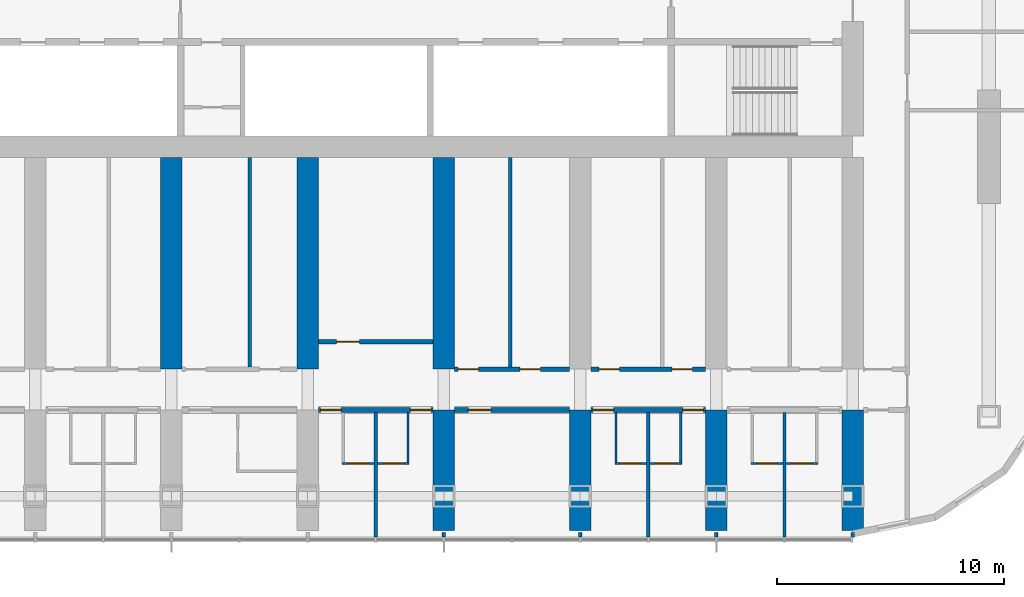
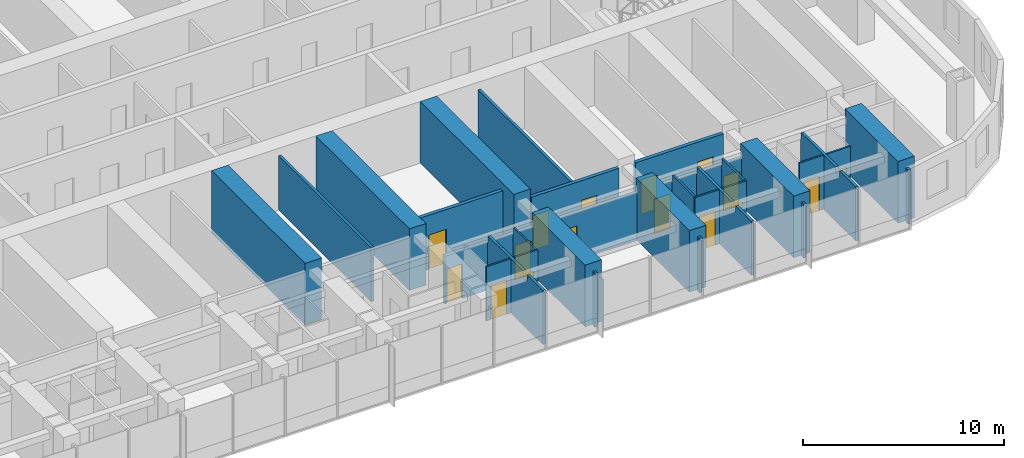
# One storey, part 10 of 21: 31 walls, 16 doors, 16 openings.
"""IFC4 building model written with IfcOpenShell, lengths in metres."""

from ifc_helpers import new_model, si_unit, direction, frame, frame_2d, origin, place, context, subcontext, project, spatial, polyline, rectangle, outline, extrude, material, layer, layer_set, type_object, element, fill, save


model = new_model("IFC4")

# Units and contexts
model_context = context("Model", 3, precision=1e-05, world=origin(), true_north=direction((0.0, 1.0)))
body_context = subcontext(model_context, "Body", "Model", "MODEL_VIEW")
ifc_project = project(units=[si_unit("LENGTHUNIT", "METRE"), si_unit("AREAUNIT", "SQUARE_METRE"), si_unit("VOLUMEUNIT", "CUBIC_METRE"), si_unit("PLANEANGLEUNIT", "RADIAN"), si_unit("MASSUNIT", "GRAM", prefix="KILO")], contexts=[model_context])

# Site, building, storey
site_placement = place(None, origin())
site = spatial("IfcSite", under=ifc_project, at=site_placement, CompositionType="ELEMENT")
building_placement = place(site_placement, origin())
building = spatial("IfcBuilding", under=site, at=building_placement, Name="Orbita Commons", CompositionType="ELEMENT")
storey_placement = place(building_placement, frame((0.0, 0.0, 95.64990234375)))
storey = spatial("IfcBuildingStorey", under=building, at=storey_placement, Name="L23", CompositionType="ELEMENT", Elevation=95.64990234375)

# Wall, openings, doors
ifc_material_1 = material(Name="Concrete blockwork", Category="masonry")
ifc_layer_1 = layer(ifc_material_1, 0.199951171875)
ifc_layer_set_1 = layer_set([ifc_layer_1], Name="Concrete blockwork")
wall_type_1 = type_object("IfcWallType", Name="Corridor wall 200 blockwork", PredefinedType="SOLIDWALL", material=ifc_layer_set_1)
wall_1_placement = place(storey_placement, frame((42.47509765625, 14.199951171875, 0.0), z_axis=(0.0, 0.0, 1.0), x_axis=(1.0, 0.0, 0.0)))
wall_1 = element("IfcWall", 1, at=wall_1_placement, inside=storey, type_object=wall_type_1, Name="Corridor wall 200 blockwork L23", PredefinedType="SOLIDWALL", context=body_context, shape_type="SweptSolid", body=[
    extrude(outline(polyline([(0.0, 0.0), (5.0498046875, 0.0), (5.050048828125, 2.900146484375), (0.0, 2.900146484375), (0.0, 0.0)])), frame((0.0, 0.10009765625, 0.0), z_axis=(0.0, -1.0, 0.0), x_axis=(1.0, 0.0, 0.0)), (0.0, 0.0, 1.0), 0.199951171875),
])
opening_1_placement = place(wall_1_placement, frame((0.10009765625, 0.0, 0.0)))
opening_1 = element("IfcOpeningElement", 2, at=opening_1_placement, cuts=wall_1, Name="Opening D11", PredefinedType="OPENING", context=body_context, shape_type="SweptSolid", body=[
    extrude(rectangle(XDim=0.89990234375, YDim=2.10009765625, at=frame_2d((0.449951171875, 1.050048828125))), frame((0.0, 0.10986328125, 0.0), z_axis=(0.0, -1.0, 0.0), x_axis=(1.0, 0.0, 0.0)), (0.0, 0.0, 1.0), 0.219970703125),
])
opening_2_placement = place(wall_1_placement, frame((4.050048828125, 0.0, 0.0)))
opening_2 = element("IfcOpeningElement", 3, at=opening_2_placement, cuts=wall_1, Name="Opening D11", PredefinedType="OPENING", context=body_context, shape_type="SweptSolid", body=[
    extrude(rectangle(XDim=0.89990234375, YDim=2.10009765625, at=frame_2d((0.449951171875, 1.050048828125))), frame((0.0, 0.10986328125, 0.0), z_axis=(0.0, -1.0, 0.0), x_axis=(1.0, 0.0, 0.0)), (0.0, 0.0, 1.0), 0.219970703125),
])
ifc_material_2 = material(Name="Steel-faced fire door leaf", Category="steel")
door_type_1 = type_object("IfcDoorType", Name="Corridor door 20 min 900x2100", OperationType="SINGLE_SWING_LEFT", PredefinedType="DOOR", material=ifc_material_2)
door_1_placement = place(opening_1_placement, origin())
door_1 = element("IfcDoor", 4, at=door_1_placement, inside=storey, type_object=door_type_1, Name="Cluster bedroom L23-S10 door", OperationType="SINGLE_SWING_LEFT", OverallHeight=2.10009765625, OverallWidth=0.89990234375, PredefinedType="DOOR", context=body_context, shape_type="SweptSolid", body=[
    extrude(rectangle(XDim=0.89990234375, YDim=2.10009765625, at=frame_2d((0.449951171875, 1.050048828125))), frame((0.0, 0.02490234375, 0.0), z_axis=(0.0, -1.0, 0.0), x_axis=(1.0, 0.0, 0.0)), (0.0, 0.0, 1.0), 0.050048828125),
])
fill(opening_1, door_1)
door_2_placement = place(opening_2_placement, origin())
door_2 = element("IfcDoor", 5, at=door_2_placement, inside=storey, type_object=door_type_1, Name="Cluster bedroom L23-S11 door", OperationType="SINGLE_SWING_LEFT", OverallHeight=2.10009765625, OverallWidth=0.89990234375, PredefinedType="DOOR", context=body_context, shape_type="SweptSolid", body=[
    extrude(rectangle(XDim=0.89990234375, YDim=2.10009765625, at=frame_2d((0.449951171875, 1.050048828125))), frame((0.0, 0.02490234375, 0.0), z_axis=(0.0, -1.0, 0.0), x_axis=(1.0, 0.0, 0.0)), (0.0, 0.0, 1.0), 0.050048828125),
])
fill(opening_2, door_2)

# Wall, opening, door
wall_2_placement = place(storey_placement, frame((48.47509765625, 14.199951171875, 0.0), z_axis=(0.0, 0.0, 1.0), x_axis=(1.0, 0.0, 0.0)))
wall_2 = element("IfcWall", 6, at=wall_2_placement, inside=storey, type_object=wall_type_1, Name="Corridor wall 200 blockwork L23", PredefinedType="SOLIDWALL", context=body_context, shape_type="SweptSolid", body=[
    extrude(outline(polyline([(0.0, 0.0), (5.0498046875, 0.0), (5.050048828125, 2.900146484375), (0.0, 2.900146484375), (0.0, 0.0)])), frame((0.0, 0.10009765625, 0.0), z_axis=(0.0, -1.0, 0.0), x_axis=(1.0, 0.0, 0.0)), (0.0, 0.0, 1.0), 0.199951171875),
])
opening_3_placement = place(wall_2_placement, frame((0.60009765625, 0.0, 0.0)))
opening_3 = element("IfcOpeningElement", 7, at=opening_3_placement, cuts=wall_2, Name="Opening D06", PredefinedType="OPENING", context=body_context, shape_type="SweptSolid", body=[
    extrude(rectangle(XDim=1.0, YDim=2.10009765625, at=frame_2d((0.5, 1.050048828125))), frame((0.0, 0.10986328125, 0.0), z_axis=(0.0, -1.0, 0.0), x_axis=(1.0, 0.0, 0.0)), (0.0, 0.0, 1.0), 0.219970703125),
])
ifc_material_3 = material(Name="Steel-faced fire door leaf", Category="steel")
door_type_2 = type_object("IfcDoorType", Name="Corridor door 20 min 1000x2100", OperationType="SINGLE_SWING_LEFT", PredefinedType="DOOR", material=ifc_material_3)
door_3_placement = place(opening_3_placement, origin())
door_3 = element("IfcDoor", 8, at=door_3_placement, inside=storey, type_object=door_type_2, Name="Cluster kitchen-diner L23-S12 door", OperationType="SINGLE_SWING_LEFT", OverallHeight=2.10009765625, OverallWidth=1.0, PredefinedType="DOOR", context=body_context, shape_type="SweptSolid", body=[
    extrude(rectangle(XDim=1.0, YDim=2.10009765625, at=frame_2d((0.5, 1.050048828125))), frame((0.0, 0.02490234375, 0.0), z_axis=(0.0, -1.0, 0.0), x_axis=(1.0, 0.0, 0.0)), (0.0, 0.0, 1.0), 0.050048828125),
])
fill(opening_3, door_3)

# Wall, openings, doors
wall_3_placement = place(storey_placement, frame((54.47509765625, 14.199951171875, 0.0), z_axis=(0.0, 0.0, 1.0), x_axis=(1.0, 0.0, 0.0)))
wall_3 = element("IfcWall", 9, at=wall_3_placement, inside=storey, type_object=wall_type_1, Name="Corridor wall 200 blockwork L23", PredefinedType="SOLIDWALL", context=body_context, shape_type="SweptSolid", body=[
    extrude(outline(polyline([(0.0, 0.0), (5.0498046875, 0.0), (5.050048828125, 2.900146484375), (0.0, 2.900146484375), (0.0, 0.0)])), frame((0.0, 0.10009765625, 0.0), z_axis=(0.0, -1.0, 0.0), x_axis=(1.0, 0.0, 0.0)), (0.0, 0.0, 1.0), 0.199951171875),
])
opening_4_placement = place(wall_3_placement, frame((0.10009765625, 0.0, 0.0)))
opening_4 = element("IfcOpeningElement", 10, at=opening_4_placement, cuts=wall_3, Name="Opening D11", PredefinedType="OPENING", context=body_context, shape_type="SweptSolid", body=[
    extrude(rectangle(XDim=0.89990234375, YDim=2.10009765625, at=frame_2d((0.449951171875, 1.050048828125))), frame((0.0, 0.10986328125, 0.0), z_axis=(0.0, -1.0, 0.0), x_axis=(1.0, 0.0, 0.0)), (0.0, 0.0, 1.0), 0.219970703125),
])
opening_5_placement = place(wall_3_placement, frame((4.050048828125, 0.0, 0.0)))
opening_5 = element("IfcOpeningElement", 11, at=opening_5_placement, cuts=wall_3, Name="Opening D11", PredefinedType="OPENING", context=body_context, shape_type="SweptSolid", body=[
    extrude(rectangle(XDim=0.89990234375, YDim=2.10009765625, at=frame_2d((0.449951171875, 1.050048828125))), frame((0.0, 0.10986328125, 0.0), z_axis=(0.0, -1.0, 0.0), x_axis=(1.0, 0.0, 0.0)), (0.0, 0.0, 1.0), 0.219970703125),
])
door_4_placement = place(opening_4_placement, origin())
door_4 = element("IfcDoor", 12, at=door_4_placement, inside=storey, type_object=door_type_1, Name="Cluster bedroom L23-S14 door", OperationType="SINGLE_SWING_LEFT", OverallHeight=2.10009765625, OverallWidth=0.89990234375, PredefinedType="DOOR", context=body_context, shape_type="SweptSolid", body=[
    extrude(rectangle(XDim=0.89990234375, YDim=2.10009765625, at=frame_2d((0.449951171875, 1.050048828125))), frame((0.0, 0.02490234375, 0.0), z_axis=(0.0, -1.0, 0.0), x_axis=(1.0, 0.0, 0.0)), (0.0, 0.0, 1.0), 0.050048828125),
])
fill(opening_4, door_4)
door_5_placement = place(opening_5_placement, origin())
door_5 = element("IfcDoor", 13, at=door_5_placement, inside=storey, type_object=door_type_1, Name="Cluster bedroom L23-S15 door", OperationType="SINGLE_SWING_LEFT", OverallHeight=2.10009765625, OverallWidth=0.89990234375, PredefinedType="DOOR", context=body_context, shape_type="SweptSolid", body=[
    extrude(rectangle(XDim=0.89990234375, YDim=2.10009765625, at=frame_2d((0.449951171875, 1.050048828125))), frame((0.0, 0.02490234375, 0.0), z_axis=(0.0, -1.0, 0.0), x_axis=(1.0, 0.0, 0.0)), (0.0, 0.0, 1.0), 0.050048828125),
])
fill(opening_5, door_5)

ifc_material_4 = material(Name="Hollow concrete block 200", Category="concrete")
ifc_layer_2 = layer(ifc_material_4, 0.199951171875)
ifc_layer_set_2 = layer_set([ifc_layer_2], Name="Hollow concrete block 200")
wall_type_2 = type_object("IfcWallType", Name="Corridor wall 200 hollow concrete block", PredefinedType="SOLIDWALL", material=ifc_layer_set_2)
wall_4_placement = place(storey_placement, frame((48.47509765625, 16.0, 0.0), z_axis=(0.0, 0.0, 1.0), x_axis=(1.0, 0.0, 0.0)))
wall_4 = element("IfcWall", 14, at=wall_4_placement, inside=storey, type_object=wall_type_2, Name="Corridor wall 200 hollow concrete block L23", PredefinedType="SOLIDWALL", context=body_context, shape_type="SweptSolid", body=[
    extrude(rectangle(XDim=5.0498046875, YDim=0.199951171875, at=frame_2d((2.52490234375, 0.0))), origin(), (0.0, 0.0, 1.0), 3.300048828125),
])
opening_6_placement = place(wall_4_placement, frame((0.14990234375, 0.0, 0.0)))
opening_6 = element("IfcOpeningElement", 15, at=opening_6_placement, cuts=wall_4, Name="Opening D11", PredefinedType="OPENING", context=body_context, shape_type="SweptSolid", body=[
    extrude(rectangle(XDim=0.89990234375, YDim=2.10009765625, at=frame_2d((0.449951171875, 1.050048828125))), frame((0.0, 0.10986328125, 0.0), z_axis=(0.0, -1.0, 0.0), x_axis=(1.0, 0.0, 0.0)), (0.0, 0.0, 1.0), 0.219970703125),
])
opening_7_placement = place(wall_4_placement, frame((2.875, 0.0, 0.0)))
opening_7 = element("IfcOpeningElement", 16, at=opening_7_placement, cuts=wall_4, Name="Opening D11", PredefinedType="OPENING", context=body_context, shape_type="SweptSolid", body=[
    extrude(rectangle(XDim=0.89990234375, YDim=2.10009765625, at=frame_2d((0.449951171875, 1.050048828125))), frame((0.0, 0.10986328125, 0.0), z_axis=(0.0, -1.0, 0.0), x_axis=(1.0, 0.0, 0.0)), (0.0, 0.0, 1.0), 0.219970703125),
])
door_6_placement = place(opening_6_placement, origin())
door_6 = element("IfcDoor", 17, at=door_6_placement, inside=storey, type_object=door_type_1, Name="Electrical and data room L23-BDS48 door", OperationType="SINGLE_SWING_LEFT", OverallHeight=2.10009765625, OverallWidth=0.89990234375, PredefinedType="DOOR", context=body_context, shape_type="SweptSolid", body=[
    extrude(rectangle(XDim=0.89990234375, YDim=2.10009765625, at=frame_2d((0.449951171875, 1.050048828125))), frame((0.0, 0.02490234375, 0.0), z_axis=(0.0, -1.0, 0.0), x_axis=(1.0, 0.0, 0.0)), (0.0, 0.0, 1.0), 0.050048828125),
])
fill(opening_6, door_6)
door_7_placement = place(opening_7_placement, origin())
door_7 = element("IfcDoor", 18, at=door_7_placement, inside=storey, type_object=door_type_1, Name="Equipment store L23-BDS48n door", OperationType="SINGLE_SWING_LEFT", OverallHeight=2.10009765625, OverallWidth=0.89990234375, PredefinedType="DOOR", context=body_context, shape_type="SweptSolid", body=[
    extrude(rectangle(XDim=0.89990234375, YDim=2.10009765625, at=frame_2d((0.449951171875, 1.050048828125))), frame((0.0, 0.02490234375, 0.0), z_axis=(0.0, -1.0, 0.0), x_axis=(1.0, 0.0, 0.0)), (0.0, 0.0, 1.0), 0.050048828125),
])
fill(opening_7, door_7)

wall_5_placement = place(storey_placement, frame((54.47509765625, 16.0, 0.0), z_axis=(0.0, 0.0, 1.0), x_axis=(1.0, 0.0, 0.0)))
wall_5 = element("IfcWall", 19, at=wall_5_placement, inside=storey, type_object=wall_type_2, Name="Corridor wall 200 hollow concrete block L23", PredefinedType="SOLIDWALL", context=body_context, shape_type="SweptSolid", body=[
    extrude(rectangle(XDim=5.0498046875, YDim=0.199951171875, at=frame_2d((2.52490234375, 0.0))), origin(), (0.0, 0.0, 1.0), 3.300048828125),
])
opening_8_placement = place(wall_5_placement, frame((0.35009765625, 0.0, 0.0)))
opening_8 = element("IfcOpeningElement", 20, at=opening_8_placement, cuts=wall_5, Name="Opening D11", PredefinedType="OPENING", context=body_context, shape_type="SweptSolid", body=[
    extrude(rectangle(XDim=0.89990234375, YDim=2.10009765625, at=frame_2d((0.449951171875, 1.050048828125))), frame((0.0, 0.10986328125, 0.0), z_axis=(0.0, -1.0, 0.0), x_axis=(1.0, 0.0, 0.0)), (0.0, 0.0, 1.0), 0.219970703125),
])
opening_9_placement = place(wall_5_placement, frame((3.56494140625, 0.0, 0.0)))
opening_9 = element("IfcOpeningElement", 21, at=opening_9_placement, cuts=wall_5, Name="Opening D11", PredefinedType="OPENING", context=body_context, shape_type="SweptSolid", body=[
    extrude(rectangle(XDim=0.89990234375, YDim=2.10009765625, at=frame_2d((0.449951171875, 1.050048828125))), frame((0.0, 0.10986328125, 0.0), z_axis=(0.0, -1.0, 0.0), x_axis=(1.0, 0.0, 0.0)), (0.0, 0.0, 1.0), 0.219970703125),
])
door_8_placement = place(opening_8_placement, origin())
door_8 = element("IfcDoor", 22, at=door_8_placement, inside=storey, type_object=door_type_1, Name="Ventilation plant room north L23-BDS54 door", OperationType="SINGLE_SWING_LEFT", OverallHeight=2.10009765625, OverallWidth=0.89990234375, PredefinedType="DOOR", context=body_context, shape_type="SweptSolid", body=[
    extrude(rectangle(XDim=0.89990234375, YDim=2.10009765625, at=frame_2d((0.449951171875, 1.050048828125))), frame((0.0, 0.02490234375, 0.0), z_axis=(0.0, -1.0, 0.0), x_axis=(1.0, 0.0, 0.0)), (0.0, 0.0, 1.0), 0.050048828125),
])
fill(opening_8, door_8)
door_9_placement = place(opening_9_placement, origin())
door_9 = element("IfcDoor", 23, at=door_9_placement, inside=storey, type_object=door_type_1, Name="Battery and UPS room L23-BDS54n door", OperationType="SINGLE_SWING_LEFT", OverallHeight=2.10009765625, OverallWidth=0.89990234375, PredefinedType="DOOR", context=body_context, shape_type="SweptSolid", body=[
    extrude(rectangle(XDim=0.89990234375, YDim=2.10009765625, at=frame_2d((0.449951171875, 1.050048828125))), frame((0.0, 0.02490234375, 0.0), z_axis=(0.0, -1.0, 0.0), x_axis=(1.0, 0.0, 0.0)), (0.0, 0.0, 1.0), 0.050048828125),
])
fill(opening_9, door_9)

# Wall, opening, door
wall_6_placement = place(storey_placement, frame((42.47509765625, 17.199951171875, 0.0), z_axis=(0.0, 0.0, 1.0), x_axis=(1.0, 0.0, 0.0)))
wall_6 = element("IfcWall", 24, at=wall_6_placement, inside=storey, type_object=wall_type_2, Name="Corridor wall 200 hollow concrete block L23", PredefinedType="SOLIDWALL", context=body_context, shape_type="SweptSolid", body=[
    extrude(rectangle(XDim=5.0498046875, YDim=0.199951171875, at=frame_2d((2.52490234375, 0.0))), origin(), (0.0, 0.0, 1.0), 3.300048828125),
])
opening_10_placement = place(wall_6_placement, frame((0.800048828125, 0.0, 0.0)))
opening_10 = element("IfcOpeningElement", 25, at=opening_10_placement, cuts=wall_6, Name="Opening D06", PredefinedType="OPENING", context=body_context, shape_type="SweptSolid", body=[
    extrude(rectangle(XDim=1.0, YDim=2.10009765625, at=frame_2d((0.5, 1.050048828125))), frame((0.0, 0.10986328125, 0.0), z_axis=(0.0, -1.0, 0.0), x_axis=(1.0, 0.0, 0.0)), (0.0, 0.0, 1.0), 0.219970703125),
])
door_10_placement = place(opening_10_placement, origin())
door_10 = element("IfcDoor", 26, at=door_10_placement, inside=storey, type_object=door_type_2, Name="IT and print room L23-BDS42 door", OperationType="SINGLE_SWING_LEFT", OverallHeight=2.10009765625, OverallWidth=1.0, PredefinedType="DOOR", context=body_context, shape_type="SweptSolid", body=[
    extrude(rectangle(XDim=1.0, YDim=2.10009765625, at=frame_2d((0.5, 1.050048828125))), frame((0.0, 0.02490234375, 0.0), z_axis=(0.0, -1.0, 0.0), x_axis=(1.0, 0.0, 0.0)), (0.0, 0.0, 1.0), 0.050048828125),
])
fill(opening_10, door_10)

# Walls
ifc_material_5 = material(Name="Concrete C50/60", Category="concrete")
ifc_layer_3 = layer(ifc_material_5, 0.949951171875)
ifc_layer_set_3 = layer_set([ifc_layer_3], Name="Concrete C50/60")
wall_type_3 = type_object("IfcWallType", Name="Cross wall 950 C50/60", PredefinedType="SHEAR", material=ifc_layer_set_3)
for number, where, z_axis, x_axis, name in (
    (27, (36.0, 16.0, 0.0), (0.0, 0.0, 1.0), (0.0, 1.0, 0.0), "Cross wall 7 south inner L23"),
    (28, (42.0, 16.0, 0.0), (0.0, 0.0, 1.0), (0.0, 1.0, 0.0), "Cross wall 8 south inner L23"),
):
    element("IfcWall", number, at=place(storey_placement, frame(where, z_axis=z_axis, x_axis=x_axis)), inside=storey, type_object=wall_type_3, Name=name, PredefinedType="SHEAR", context=body_context, shape_type="SweptSolid", body=[
        extrude(rectangle(XDim=9.324951171875, YDim=0.949951171875, at=frame_2d((4.66259765625, 0.0))), origin(), (0.0, 0.0, 1.0), 3.75),
    ])
wall_7_placement = place(storey_placement, frame((48.0, 8.89990234375, 0.0), z_axis=(0.0, 0.0, 1.0), x_axis=(0.0, 1.0, 0.0)))
element("IfcWall", 29, at=wall_7_placement, inside=storey, type_object=wall_type_3, Name="Cross wall 9 south outer L23", PredefinedType="SHEAR", context=body_context, shape_type="SweptSolid", body=[
    extrude(rectangle(XDim=5.300048828125, YDim=0.949951171875, at=frame_2d((2.64990234375, 0.0))), origin(), (0.0, 0.0, 1.0), 3.75),
])
wall_8_placement = place(storey_placement, frame((48.0, 16.0, 0.0), z_axis=(0.0, 0.0, 1.0), x_axis=(0.0, 1.0, 0.0)))
element("IfcWall", 30, at=wall_8_placement, inside=storey, type_object=wall_type_3, Name="Cross wall 9 south inner L23", PredefinedType="SHEAR", context=body_context, shape_type="SweptSolid", body=[
    extrude(rectangle(XDim=9.324951171875, YDim=0.949951171875, at=frame_2d((4.66259765625, 0.0))), origin(), (0.0, 0.0, 1.0), 3.75),
])
for number, where, z_axis, x_axis, name in (
    (31, (54.0, 8.89990234375, 0.0), (0.0, 0.0, 1.0), (0.0, 1.0, 0.0), "Cross wall 10 south outer L23"),
    (32, (60.0, 8.89990234375, 0.0), (0.0, 0.0, 1.0), (0.0, 1.0, 0.0), "Cross wall 11 south outer L23"),
    (33, (66.0, 8.89990234375, 0.0), (0.0, 0.0, 1.0), (0.0, 1.0, 0.0), "Cross wall 12 south outer L23"),
):
    element("IfcWall", number, at=place(storey_placement, frame(where, z_axis=z_axis, x_axis=x_axis)), inside=storey, type_object=wall_type_3, Name=name, PredefinedType="SHEAR", context=body_context, shape_type="SweptSolid", body=[
        extrude(rectangle(XDim=5.300048828125, YDim=0.949951171875, at=frame_2d((2.64990234375, 0.0))), origin(), (0.0, 0.0, 1.0), 3.75),
    ])

# Wall, opening, door
ifc_material_6 = material(Name="Moisture-resistant plasterboard on steel studs", Category="steel")
ifc_layer_4 = layer(ifc_material_6, 0.10009765625)
ifc_layer_set_4 = layer_set([ifc_layer_4], Name="Moisture-resistant plasterboard on steel studs")
wall_type_4 = type_object("IfcWallType", Name="En-suite partition 100", PredefinedType="PARTITIONING", material=ifc_layer_set_4)
wall_9_placement = place(storey_placement, frame((44.925048828125, 11.8408203125, 0.0), z_axis=(0.0, 0.0, 1.0), x_axis=(-1.0, 0.0, 0.0)))
wall_9 = element("IfcWall", 34, at=wall_9_placement, inside=storey, type_object=wall_type_4, Name="En-suite partition 100 L23", PredefinedType="PARTITIONING", context=body_context, shape_type="SweptSolid", body=[
    extrude(rectangle(XDim=1.400146484375, YDim=0.10009765625, at=frame_2d((0.7001953125, 0.0))), origin(), (0.0, 0.0, 1.0), 3.300048828125),
])
opening_11_placement = place(wall_9_placement, frame((0.25, 0.0, 0.0)))
opening_11 = element("IfcOpeningElement", 35, at=opening_11_placement, cuts=wall_9, Name="Opening D09", PredefinedType="OPENING", context=body_context, shape_type="SweptSolid", body=[
    extrude(rectangle(XDim=0.89990234375, YDim=2.10009765625, at=frame_2d((0.449951171875, 1.050048828125))), frame((0.0, 0.06005859375, 0.0), z_axis=(0.0, -1.0, 0.0), x_axis=(1.0, 0.0, 0.0)), (0.0, 0.0, 1.0), 0.1201171875),
])
ifc_material_7 = material(Name="Laminated timber door leaf", Category="wood")
door_type_3 = type_object("IfcDoorType", Name="En-suite door 900x2100", OperationType="SINGLE_SWING_RIGHT", PredefinedType="DOOR", material=ifc_material_7)
door_11_placement = place(opening_11_placement, origin())
door_11 = element("IfcDoor", 36, at=door_11_placement, inside=storey, type_object=door_type_3, Name="En-suite L23-S10 door", OperationType="SINGLE_SWING_RIGHT", OverallHeight=2.10009765625, OverallWidth=0.89990234375, PredefinedType="DOOR", context=body_context, shape_type="SweptSolid", body=[
    extrude(rectangle(XDim=0.89990234375, YDim=2.10009765625, at=frame_2d((0.449951171875, 1.050048828125))), frame((0.0, 0.02490234375, 0.0), z_axis=(0.0, -1.0, 0.0), x_axis=(1.0, 0.0, 0.0)), (0.0, 0.0, 1.0), 0.050048828125),
])
fill(opening_11, door_11)

wall_10_placement = place(storey_placement, frame((46.47509765625, 11.8408203125, 0.0), z_axis=(0.0, 0.0, 1.0), x_axis=(-1.0, 0.0, 0.0)))
wall_10 = element("IfcWall", 37, at=wall_10_placement, inside=storey, type_object=wall_type_4, Name="En-suite partition 100 L23", PredefinedType="PARTITIONING", context=body_context, shape_type="SweptSolid", body=[
    extrude(rectangle(XDim=1.400146484375, YDim=0.10009765625, at=frame_2d((0.7001953125, 0.0))), origin(), (0.0, 0.0, 1.0), 3.300048828125),
])
opening_12_placement = place(wall_10_placement, frame((0.25, 0.0, 0.0)))
opening_12 = element("IfcOpeningElement", 38, at=opening_12_placement, cuts=wall_10, Name="Opening D09", PredefinedType="OPENING", context=body_context, shape_type="SweptSolid", body=[
    extrude(rectangle(XDim=0.89990234375, YDim=2.10009765625, at=frame_2d((0.449951171875, 1.050048828125))), frame((0.0, 0.06005859375, 0.0), z_axis=(0.0, -1.0, 0.0), x_axis=(1.0, 0.0, 0.0)), (0.0, 0.0, 1.0), 0.1201171875),
])
door_12_placement = place(opening_12_placement, origin())
door_12 = element("IfcDoor", 39, at=door_12_placement, inside=storey, type_object=door_type_3, Name="En-suite L23-S11 door", OperationType="SINGLE_SWING_RIGHT", OverallHeight=2.10009765625, OverallWidth=0.89990234375, PredefinedType="DOOR", context=body_context, shape_type="SweptSolid", body=[
    extrude(rectangle(XDim=0.89990234375, YDim=2.10009765625, at=frame_2d((0.449951171875, 1.050048828125))), frame((0.0, 0.02490234375, 0.0), z_axis=(0.0, -1.0, 0.0), x_axis=(1.0, 0.0, 0.0)), (0.0, 0.0, 1.0), 0.050048828125),
])
fill(opening_12, door_12)

# Wall
wall_11_placement = place(storey_placement, frame((46.425048828125, 11.890625, 0.0), z_axis=(0.0, 0.0, 1.0), x_axis=(0.0, 1.0, 0.0)))
element("IfcWall", 40, at=wall_11_placement, inside=storey, type_object=wall_type_4, Name="En-suite partition 100 L23", PredefinedType="PARTITIONING", context=body_context, shape_type="SweptSolid", body=[
    extrude(outline(polyline([(0.0, 0.0), (2.20947265625, 0.0), (2.209228515625, 2.900146484375), (2.161376953125, 2.900146484375), (2.1591796875, 3.300048828125), (0.0, 3.300048828125), (0.0, 0.0)])), frame((0.0, 0.050048828125, 0.0), z_axis=(0.0, -1.0, 0.0), x_axis=(1.0, 0.0, 0.0)), (0.0, 0.0, 1.0), 0.10009765625),
])

# Wall, opening, door
wall_12_placement = place(storey_placement, frame((56.925048828125, 11.8408203125, 0.0), z_axis=(0.0, 0.0, 1.0), x_axis=(-1.0, 0.0, 0.0)))
wall_12 = element("IfcWall", 41, at=wall_12_placement, inside=storey, type_object=wall_type_4, Name="En-suite partition 100 L23", PredefinedType="PARTITIONING", context=body_context, shape_type="SweptSolid", body=[
    extrude(rectangle(XDim=1.400146484375, YDim=0.10009765625, at=frame_2d((0.7001953125, 0.0))), origin(), (0.0, 0.0, 1.0), 3.300048828125),
])
opening_13_placement = place(wall_12_placement, frame((0.25, 0.0, 0.0)))
opening_13 = element("IfcOpeningElement", 42, at=opening_13_placement, cuts=wall_12, Name="Opening D09", PredefinedType="OPENING", context=body_context, shape_type="SweptSolid", body=[
    extrude(rectangle(XDim=0.89990234375, YDim=2.10009765625, at=frame_2d((0.449951171875, 1.050048828125))), frame((0.0, 0.06005859375, 0.0), z_axis=(0.0, -1.0, 0.0), x_axis=(1.0, 0.0, 0.0)), (0.0, 0.0, 1.0), 0.1201171875),
])
door_13_placement = place(opening_13_placement, origin())
door_13 = element("IfcDoor", 43, at=door_13_placement, inside=storey, type_object=door_type_3, Name="En-suite L23-S14 door", OperationType="SINGLE_SWING_RIGHT", OverallHeight=2.10009765625, OverallWidth=0.89990234375, PredefinedType="DOOR", context=body_context, shape_type="SweptSolid", body=[
    extrude(rectangle(XDim=0.89990234375, YDim=2.10009765625, at=frame_2d((0.449951171875, 1.050048828125))), frame((0.0, 0.02490234375, 0.0), z_axis=(0.0, -1.0, 0.0), x_axis=(1.0, 0.0, 0.0)), (0.0, 0.0, 1.0), 0.050048828125),
])
fill(opening_13, door_13)

# Wall
wall_13_placement = place(storey_placement, frame((55.574951171875, 11.890625, 0.0), z_axis=(0.0, 0.0, 1.0), x_axis=(0.0, 1.0, 0.0)))
element("IfcWall", 44, at=wall_13_placement, inside=storey, type_object=wall_type_4, Name="En-suite partition 100 L23", PredefinedType="PARTITIONING", context=body_context, shape_type="SweptSolid", body=[
    extrude(outline(polyline([(0.0, 0.0), (2.20947265625, 0.0), (2.209228515625, 2.900146484375), (2.161376953125, 2.900146484375), (2.1591796875, 3.300048828125), (0.0, 3.300048828125), (0.0, 0.0)])), frame((0.0, 0.050048828125, 0.0), z_axis=(0.0, -1.0, 0.0), x_axis=(1.0, 0.0, 0.0)), (0.0, 0.0, 1.0), 0.10009765625),
])

# Wall, opening, door
wall_14_placement = place(storey_placement, frame((58.47509765625, 11.8408203125, 0.0), z_axis=(0.0, 0.0, 1.0), x_axis=(-1.0, 0.0, 0.0)))
wall_14 = element("IfcWall", 45, at=wall_14_placement, inside=storey, type_object=wall_type_4, Name="En-suite partition 100 L23", PredefinedType="PARTITIONING", context=body_context, shape_type="SweptSolid", body=[
    extrude(rectangle(XDim=1.400146484375, YDim=0.10009765625, at=frame_2d((0.7001953125, 0.0))), origin(), (0.0, 0.0, 1.0), 3.300048828125),
])
opening_14_placement = place(wall_14_placement, frame((0.25, 0.0, 0.0)))
opening_14 = element("IfcOpeningElement", 46, at=opening_14_placement, cuts=wall_14, Name="Opening D09", PredefinedType="OPENING", context=body_context, shape_type="SweptSolid", body=[
    extrude(rectangle(XDim=0.89990234375, YDim=2.10009765625, at=frame_2d((0.449951171875, 1.050048828125))), frame((0.0, 0.06005859375, 0.0), z_axis=(0.0, -1.0, 0.0), x_axis=(1.0, 0.0, 0.0)), (0.0, 0.0, 1.0), 0.1201171875),
])
door_14_placement = place(opening_14_placement, origin())
door_14 = element("IfcDoor", 47, at=door_14_placement, inside=storey, type_object=door_type_3, Name="En-suite L23-S15 door", OperationType="SINGLE_SWING_RIGHT", OverallHeight=2.10009765625, OverallWidth=0.89990234375, PredefinedType="DOOR", context=body_context, shape_type="SweptSolid", body=[
    extrude(rectangle(XDim=0.89990234375, YDim=2.10009765625, at=frame_2d((0.449951171875, 1.050048828125))), frame((0.0, 0.02490234375, 0.0), z_axis=(0.0, -1.0, 0.0), x_axis=(1.0, 0.0, 0.0)), (0.0, 0.0, 1.0), 0.050048828125),
])
fill(opening_14, door_14)

# Wall
wall_15_placement = place(storey_placement, frame((58.425048828125, 11.890625, 0.0), z_axis=(0.0, 0.0, 1.0), x_axis=(0.0, 1.0, 0.0)))
element("IfcWall", 48, at=wall_15_placement, inside=storey, type_object=wall_type_4, Name="En-suite partition 100 L23", PredefinedType="PARTITIONING", context=body_context, shape_type="SweptSolid", body=[
    extrude(outline(polyline([(0.0, 0.0), (2.20947265625, 0.0), (2.209228515625, 2.900146484375), (2.161376953125, 2.900146484375), (2.1591796875, 3.300048828125), (0.0, 3.300048828125), (0.0, 0.0)])), frame((0.0, 0.050048828125, 0.0), z_axis=(0.0, -1.0, 0.0), x_axis=(1.0, 0.0, 0.0)), (0.0, 0.0, 1.0), 0.10009765625),
])

# Wall, opening, door
wall_16_placement = place(storey_placement, frame((62.925048828125, 11.8408203125, 0.0), z_axis=(0.0, 0.0, 1.0), x_axis=(-1.0, 0.0, 0.0)))
wall_16 = element("IfcWall", 49, at=wall_16_placement, inside=storey, type_object=wall_type_4, Name="En-suite partition 100 L23", PredefinedType="PARTITIONING", context=body_context, shape_type="SweptSolid", body=[
    extrude(rectangle(XDim=1.400146484375, YDim=0.10009765625, at=frame_2d((0.7001953125, 0.0))), origin(), (0.0, 0.0, 1.0), 3.300048828125),
])
opening_15_placement = place(wall_16_placement, frame((0.25, 0.0, 0.0)))
opening_15 = element("IfcOpeningElement", 50, at=opening_15_placement, cuts=wall_16, Name="Opening D09", PredefinedType="OPENING", context=body_context, shape_type="SweptSolid", body=[
    extrude(rectangle(XDim=0.89990234375, YDim=2.10009765625, at=frame_2d((0.449951171875, 1.050048828125))), frame((0.0, 0.06005859375, 0.0), z_axis=(0.0, -1.0, 0.0), x_axis=(1.0, 0.0, 0.0)), (0.0, 0.0, 1.0), 0.1201171875),
])
door_15_placement = place(opening_15_placement, origin())
door_15 = element("IfcDoor", 51, at=door_15_placement, inside=storey, type_object=door_type_3, Name="En-suite L23-S16 door", OperationType="SINGLE_SWING_RIGHT", OverallHeight=2.10009765625, OverallWidth=0.89990234375, PredefinedType="DOOR", context=body_context, shape_type="SweptSolid", body=[
    extrude(rectangle(XDim=0.89990234375, YDim=2.10009765625, at=frame_2d((0.449951171875, 1.050048828125))), frame((0.0, 0.02490234375, 0.0), z_axis=(0.0, -1.0, 0.0), x_axis=(1.0, 0.0, 0.0)), (0.0, 0.0, 1.0), 0.050048828125),
])
fill(opening_15, door_15)

wall_17_placement = place(storey_placement, frame((64.47509765625, 11.8408203125, 0.0), z_axis=(0.0, 0.0, 1.0), x_axis=(-1.0, 0.0, 0.0)))
wall_17 = element("IfcWall", 52, at=wall_17_placement, inside=storey, type_object=wall_type_4, Name="En-suite partition 100 L23", PredefinedType="PARTITIONING", context=body_context, shape_type="SweptSolid", body=[
    extrude(rectangle(XDim=1.400146484375, YDim=0.10009765625, at=frame_2d((0.7001953125, 0.0))), origin(), (0.0, 0.0, 1.0), 3.300048828125),
])
opening_16_placement = place(wall_17_placement, frame((0.25, 0.0, 0.0)))
opening_16 = element("IfcOpeningElement", 53, at=opening_16_placement, cuts=wall_17, Name="Opening D09", PredefinedType="OPENING", context=body_context, shape_type="SweptSolid", body=[
    extrude(rectangle(XDim=0.89990234375, YDim=2.10009765625, at=frame_2d((0.449951171875, 1.050048828125))), frame((0.0, 0.06005859375, 0.0), z_axis=(0.0, -1.0, 0.0), x_axis=(1.0, 0.0, 0.0)), (0.0, 0.0, 1.0), 0.1201171875),
])
door_16_placement = place(opening_16_placement, origin())
door_16 = element("IfcDoor", 54, at=door_16_placement, inside=storey, type_object=door_type_3, Name="En-suite L23-S17 door", OperationType="SINGLE_SWING_RIGHT", OverallHeight=2.10009765625, OverallWidth=0.89990234375, PredefinedType="DOOR", context=body_context, shape_type="SweptSolid", body=[
    extrude(rectangle(XDim=0.89990234375, YDim=2.10009765625, at=frame_2d((0.449951171875, 1.050048828125))), frame((0.0, 0.02490234375, 0.0), z_axis=(0.0, -1.0, 0.0), x_axis=(1.0, 0.0, 0.0)), (0.0, 0.0, 1.0), 0.050048828125),
])
fill(opening_16, door_16)

# Walls
ifc_material_8 = material(Name="Gypsum plasterboard on steel studs", Category="steel")
ifc_layer_5 = layer(ifc_material_8, 0.14990234375)
ifc_layer_set_5 = layer_set([ifc_layer_5], Name="Gypsum plasterboard on steel studs")
wall_type_5 = type_object("IfcWallType", Name="Partition 150 plasterboard", PredefinedType="PARTITIONING", material=ifc_layer_set_5)
for number, where, z_axis, x_axis, name in (
    (55, (39.455078125, 16.10009765625, 0.0), (0.0, 0.0, 1.0), (0.0, 1.0, 0.0), "Partition 150 plasterboard L23"),
    (56, (50.925048828125, 16.10009765625, 0.0), (0.0, 0.0, 1.0), (0.0, 1.0, 0.0), "Partition 150 plasterboard L23"),
):
    element("IfcWall", number, at=place(storey_placement, frame(where, z_axis=z_axis, x_axis=x_axis)), inside=storey, type_object=wall_type_5, Name=name, PredefinedType="PARTITIONING", context=body_context, shape_type="SweptSolid", body=[
        extrude(rectangle(XDim=9.224853515625, YDim=0.14990234375, at=frame_2d((4.6123046875, 0.0))), origin(), (0.0, 0.0, 1.0), 3.300048828125),
    ])
for number, where, z_axis, x_axis, name in (
    (57, (48.0, 8.800048828125, 0.0), (0.0, 0.0, 1.0), (0.0, -1.0, 0.0), "Partition 150 plasterboard L23"),
    (58, (54.0, 8.800048828125, 0.0), (0.0, 0.0, 1.0), (0.0, -1.0, 0.0), "Partition 150 plasterboard L23"),
    (59, (60.0, 8.800048828125, 0.0), (0.0, 0.0, 1.0), (0.0, -1.0, 0.0), "Partition 150 plasterboard L23"),
):
    element("IfcWall", number, at=place(storey_placement, frame(where, z_axis=z_axis, x_axis=x_axis)), inside=storey, type_object=wall_type_5, Name=name, PredefinedType="PARTITIONING", context=body_context, shape_type="SweptSolid", body=[
        extrude(rectangle(XDim=0.18994140625, YDim=0.14990234375, at=frame_2d((0.094970703125, 0.0))), origin(), (0.0, 0.0, 1.0), 3.300048828125),
    ])
wall_18_placement = place(storey_placement, frame((66.0, 8.800048828125, 0.0), z_axis=(0.0, 0.0, 1.0), x_axis=(0.0, -1.0, 0.0)))
element("IfcWall", 60, at=wall_18_placement, inside=storey, type_object=wall_type_5, Name="Partition 150 plasterboard L23", PredefinedType="PARTITIONING", context=body_context, shape_type="SweptSolid", body=[
    extrude(rectangle(XDim=0.219970703125, YDim=0.14990234375, at=frame_2d((0.10986328125, 0.0))), origin(), (0.0, 0.0, 1.0), 3.300048828125),
])
ifc_material_9 = material(Name="Gypsum plasterboard on steel studs", Category="steel")
ifc_layer_6 = layer(ifc_material_9, 0.14990234375)
ifc_layer_set_6 = layer_set([ifc_layer_6], Name="Gypsum plasterboard on steel studs")
wall_type_6 = type_object("IfcWallType", Name="Party wall 150 plasterboard", PredefinedType="PARTITIONING", material=ifc_layer_set_6)
for number, where, z_axis, x_axis, name in (
    (61, (45.0, 8.610107421875, 0.0), (0.0, 0.0, 1.0), (0.0, 1.0, 0.0), "Party wall 150 plasterboard L23"),
    (62, (57.0, 8.610107421875, 0.0), (0.0, 0.0, 1.0), (0.0, 1.0, 0.0), "Party wall 150 plasterboard L23"),
    (63, (63.0, 8.610107421875, 0.0), (0.0, 0.0, 1.0), (0.0, 1.0, 0.0), "Party wall 150 plasterboard L23"),
):
    element("IfcWall", number, at=place(storey_placement, frame(where, z_axis=z_axis, x_axis=x_axis)), inside=storey, type_object=wall_type_6, Name=name, PredefinedType="PARTITIONING", context=body_context, shape_type="SweptSolid", body=[
        extrude(outline(polyline([(0.0, 0.0), (5.489990234375, 0.0), (5.489990234375, 2.900146484375), (5.44189453125, 2.900146484375), (5.43994140625, 3.300048828125), (1.991943359375, 3.300048828125), (1.989990234375, 2.900146484375), (1.592041015625, 2.900146484375), (1.590087890625, 3.300048828125), (0.0, 3.300048828125), (0.0, 0.0)])), frame((0.0, 0.074951171875, 0.0), z_axis=(0.0, -1.0, 0.0), x_axis=(1.0, 0.0, 0.0)), (0.0, 0.0, 1.0), 0.14990234375),
    ])

save(model, "model.ifc")
